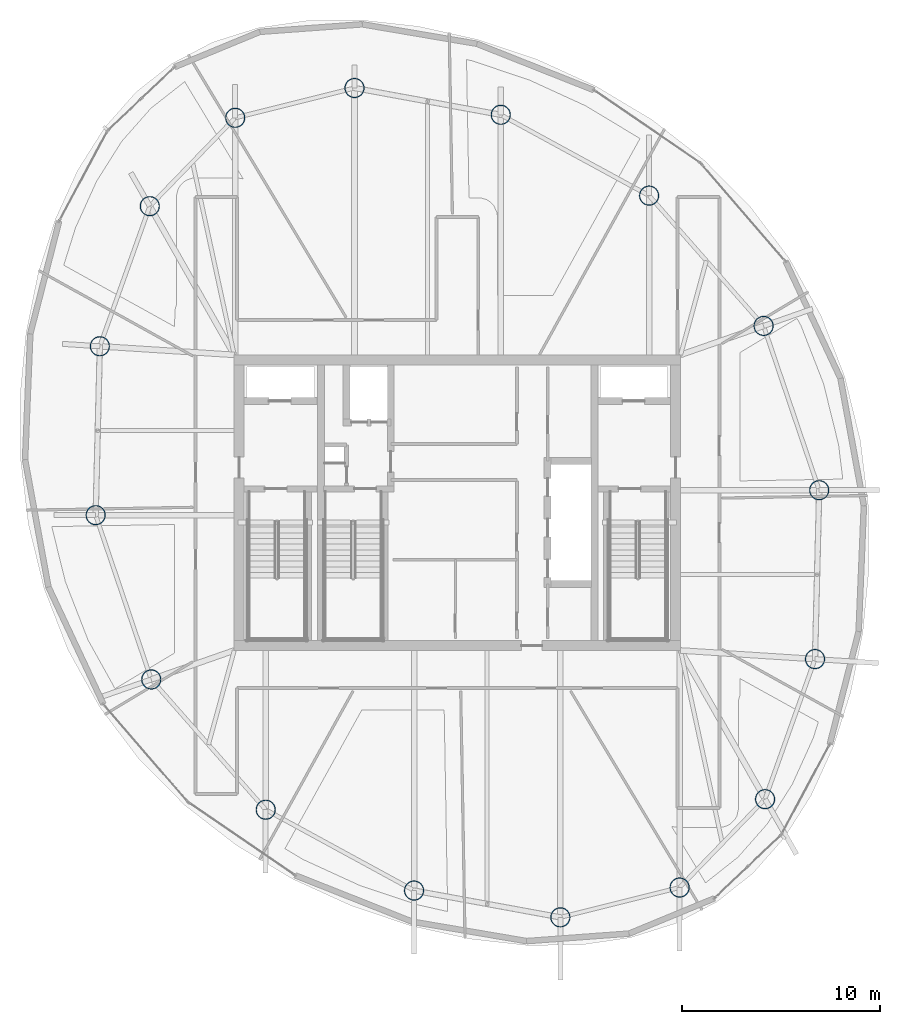
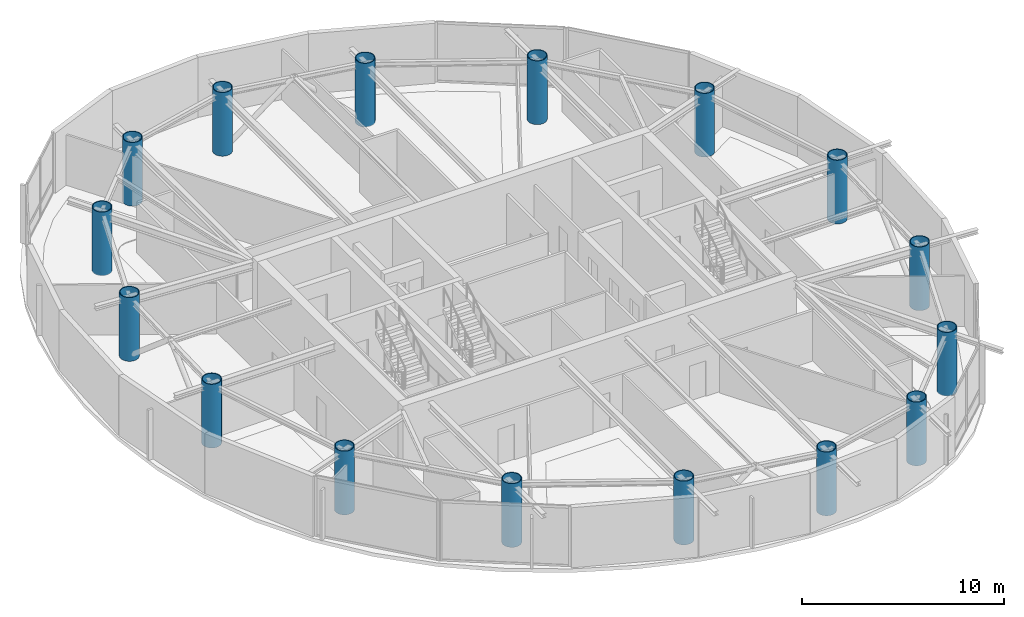
# One storey, part 1 of 16: 16 columns.
"""IFC4 building model written with IfcOpenShell, lengths in metres."""

from ifc_helpers import new_model, si_unit, direction, frame, origin, origin_2d, place, context, subcontext, project, spatial, hollow_circle, extrude, material, material_profile, profile_set, type_object, element, save


model = new_model("IFC4")

# Units and contexts
model_context = context("Model", 3, precision=1e-05, world=origin(), true_north=direction((0.0, 1.0)))
body_context = subcontext(model_context, "Body", "Model", "MODEL_VIEW")
ifc_project = project(units=[si_unit("LENGTHUNIT", "METRE"), si_unit("AREAUNIT", "SQUARE_METRE"), si_unit("VOLUMEUNIT", "CUBIC_METRE"), si_unit("PLANEANGLEUNIT", "RADIAN"), si_unit("MASSUNIT", "GRAM", prefix="KILO")], contexts=[model_context])

# Site, building, storey
site_placement = place(None, origin())
site = spatial("IfcSite", under=ifc_project, at=site_placement, CompositionType="ELEMENT")
building_placement = place(site_placement, origin())
building = spatial("IfcBuilding", under=site, at=building_placement, Name="Bramvorn Convention Spire", CompositionType="ELEMENT")
storey_placement = place(building_placement, frame((0.0, 0.0, 261.300048828125)))
storey = spatial("IfcBuildingStorey", under=building, at=storey_placement, Name="L66", CompositionType="ELEMENT", Elevation=261.300048828125)

# Columns
ifc_material = material(Name="Steel CSA G40.21 Grade 350 (350W)", Category="steel")
ifc_material_profile = material_profile(ifc_material, hollow_circle(Radius=0.5, WallThickness=0.044921875, at=origin_2d()))
ifc_profile_set = profile_set([ifc_material_profile], Name="Steel CSA G40.21 Grade 350 (350W) - CFT1000X45")
column_type = type_object("IfcColumnType", Name="COL-CFT1000X45", PredefinedType="COLUMN", material=ifc_profile_set)
for number, where, z_axis, x_axis, name in (
    (1, (49.199951171875, 6.60107421875, 0.0), (0.0, 0.0, 1.0), (1.0, 0.0, 0.0), "L66 composite CFT mega-column MC01"),
    (2, (53.50634765625, 11.05615234375, 0.0), (0.0, 0.0, 1.0), (1.0, 0.0, 0.0), "L66 composite CFT mega-column MC02"),
    (3, (56.023681640625, 18.116455078125, 0.0), (0.0, 0.0, 1.0), (1.0, 0.0, 0.0), "L66 composite CFT mega-column MC03"),
    (4, (56.234619140625, 26.62939453125, 0.0), (0.0, 0.0, 1.0), (1.0, 0.0, 0.0), "L66 composite CFT mega-column MC04"),
    (5, (53.4326171875, 34.909912109375, 0.0), (0.0, 0.0, 1.0), (1.0, 0.0, 0.0), "L66 composite CFT mega-column MC05"),
    (6, (47.662353515625, 41.476806640625, 0.0), (0.0, 0.0, 1.0), (1.0, 0.0, 0.0), "L66 composite CFT mega-column MC06"),
    (7, (40.1845703125, 45.55078125, 0.0), (0.0, 0.0, 1.0), (1.0, 0.0, 0.0), "L66 composite CFT mega-column MC07"),
    (8, (32.8115234375, 46.90087890625, 0.0), (0.0, 0.0, 1.0), (1.0, 0.0, 0.0), "L66 composite CFT mega-column MC08"),
    (9, (26.800048828125, 45.39892578125, 0.0), (0.0, 0.0, 1.0), (1.0, 0.0, 0.0), "L66 composite CFT mega-column MC09"),
    (10, (22.49365234375, 40.94384765625, 0.0), (0.0, 0.0, 1.0), (1.0, 0.0, 0.0), "L66 composite CFT mega-column MC10"),
    (11, (19.976318359375, 33.883544921875, 0.0), (0.0, 0.0, 1.0), (1.0, 0.0, 0.0), "L66 composite CFT mega-column MC11"),
    (12, (19.765380859375, 25.37060546875, 0.0), (0.0, 0.0, 1.0), (1.0, 0.0, 0.0), "L66 composite CFT mega-column MC12"),
    (13, (22.5673828125, 17.090087890625, 0.0), (0.0, 0.0, 1.0), (1.0, 0.0, 0.0), "L66 composite CFT mega-column MC13"),
    (14, (28.337646484375, 10.523193359375, 0.0), (0.0, 0.0, 1.0), (1.0, 0.0, 0.0), "L66 composite CFT mega-column MC14"),
    (15, (35.8154296875, 6.44921875, 0.0), (0.0, 0.0, 1.0), (1.0, 0.0, 0.0), "L66 composite CFT mega-column MC15"),
    (16, (43.1884765625, 5.09912109375, 0.0), (0.0, 0.0, 1.0), (1.0, 0.0, 0.0), "L66 composite CFT mega-column MC16"),
):
    element("IfcColumn", number, at=place(storey_placement, frame(where, z_axis=z_axis, x_axis=x_axis)), inside=storey, type_object=column_type, Name=name, PredefinedType="COLUMN", context=body_context, shape_type="SweptSolid", body=[
        extrude(hollow_circle(Radius=0.5, WallThickness=0.044921875, at=origin_2d()), origin(), (0.0, 0.0, 1.0), 3.849853515625),
    ])

save(model, "model.ifc")
